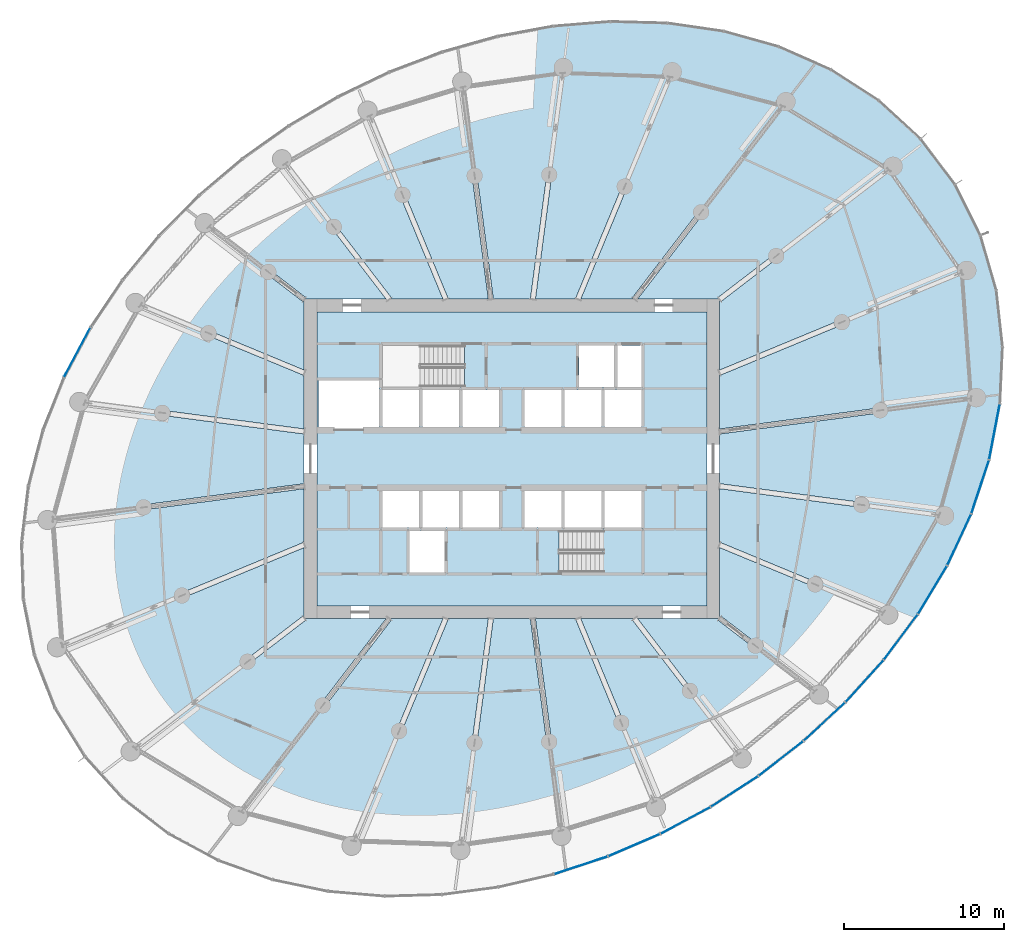
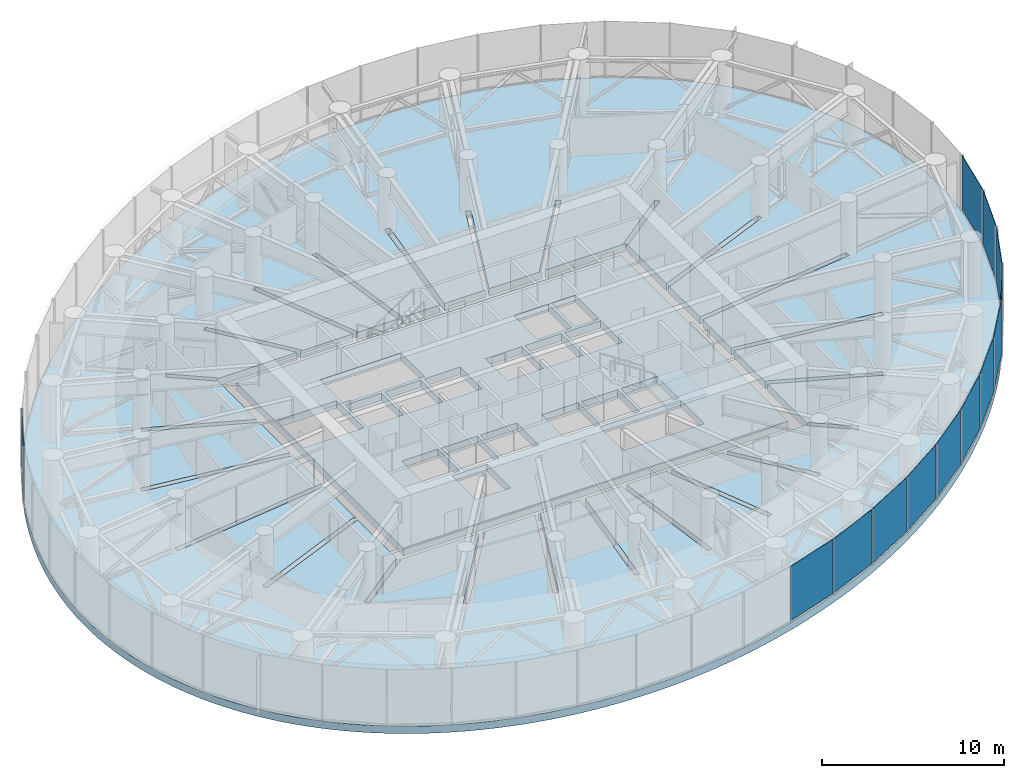
# One storey, part 14 of 33: 13 plates, 3 slabs, 5 elements without a shape of their own.
"""IFC4 building model written with IfcOpenShell, lengths in metres."""

from ifc_helpers import new_model, si_unit, direction, frame, origin, origin_2d, place, context, subcontext, project, spatial, line, indexed_curve, rectangle, outline, extrude, source, transform, mapped, material, layer, layer_set, type_object, element, aggregate, save


model = new_model("IFC4")

# Units and contexts
model_context = context("Model", 3, precision=1e-05, world=origin(), true_north=direction((0.0, 1.0)))
body_context = subcontext(model_context, "Body", "Model", "MODEL_VIEW")
ifc_project = project(units=[si_unit("LENGTHUNIT", "METRE"), si_unit("AREAUNIT", "SQUARE_METRE"), si_unit("VOLUMEUNIT", "CUBIC_METRE"), si_unit("PLANEANGLEUNIT", "RADIAN"), si_unit("MASSUNIT", "GRAM", prefix="KILO")], contexts=[model_context])

# Site, building, storey
site_placement = place(None, origin())
site = spatial("IfcSite", under=ifc_project, at=site_placement, CompositionType="ELEMENT")
building_placement = place(site_placement, origin())
building = spatial("IfcBuilding", under=site, at=building_placement, Name="Spindrift Exchange Tower", CompositionType="ELEMENT")
storey_placement = place(building_placement, frame((0.0, 0.0, 129.0)))
storey = spatial("IfcBuildingStorey", under=building, at=storey_placement, Name="L30", CompositionType="ELEMENT", Elevation=129.0)

# Slabs
ifc_material_1 = material(Name="Concrete 50 MPa", Category="concrete")
ifc_layer_1 = layer(ifc_material_1, 0.5)
ifc_layer_set_1 = layer_set([ifc_layer_1], Name="RC Floor Slab 500 Concrete 50 MPa")
slab_type_1 = type_object("IfcSlabType", Name="RC Floor Slab 500 Concrete 50 MPa", PredefinedType="FLOOR", material=ifc_layer_set_1)
slab_1_placement = place(storey_placement, frame((0.0, 0.0, -0.5)))
element("IfcSlab", 1, at=slab_1_placement, inside=storey, type_object=slab_type_1, Name="Floor slab L30", PredefinedType="FLOOR", context=body_context, shape_type="SweptSolid", body=[
    extrude(outline(indexed_curve([(79.71484375, 65.16064453125), (79.443115234375, 65.5869140625), (79.160400390625, 66.005615234375), (78.86669921875, 66.4169921875), (78.5625, 66.82080078125), (78.247802734375, 67.21630859375), (77.923095703125, 67.603515625), (77.58837890625, 67.982177734375), (77.244140625, 68.352294921875), (76.890380859375, 68.71337890625), (76.52783203125, 69.065185546875), (76.156494140625, 69.408203125), (75.776611328125, 69.741455078125), (75.388671875, 70.0654296875), (74.992919921875, 70.379638671875), (74.589599609375, 70.684326171875), (74.17919921875, 70.979248046875), (73.76171875, 71.26416015625), (73.337646484375, 71.539306640625), (72.907470703125, 71.8046875), (72.47119140625, 72.059814453125), (72.029296875, 72.305419921875), (71.582275390625, 72.540771484375), (71.1298828125, 72.766357421875), (70.6728515625, 72.98193359375), (70.211181640625, 73.187744140625), (69.745361328125, 73.3837890625), (69.275390625, 73.56982421875), (68.8017578125, 73.74658203125), (67.844482421875, 74.07080078125), (66.875, 74.35693359375), (66.386474609375, 74.486083984375), (65.402099609375, 74.716552734375), (64.906982421875, 74.818359375), (63.911865234375, 74.994873046875), (63.412109375, 75.06982421875), (62.408935546875, 75.194091796875), (61.906005859375, 75.243408203125), (60.897705078125, 75.317138671875), (60.392822265625, 75.341552734375), (59.38232421875, 75.366455078125), (58.37158203125, 75.359619140625), (57.866455078125, 75.3447265625), (57.361572265625, 75.322021484375), (56.352783203125, 75.25439453125), (55.849609375, 75.209716796875), (54.8447265625, 75.09814453125), (53.84375, 74.95849609375), (53.3447265625, 74.878173828125), (52.8466796875, 74.791015625), (51.85498046875, 74.596435546875), (51.361083984375, 74.4892578125), (50.377685546875, 74.255126953125), (49.400634765625, 73.995361328125), (48.914794921875, 73.856201171875), (48.430908203125, 73.710693359375), (47.468505859375, 73.401123046875), (46.514404296875, 73.067626953125), (46.040283203125, 72.89208984375), (45.09912109375, 72.523193359375), (44.632080078125, 72.330078125), (44.16748046875, 72.13134765625), (43.245361328125, 71.716796875), (42.788330078125, 71.50146484375), (41.8818359375, 71.0537109375), (40.986572265625, 70.584716796875), (40.102783203125, 70.093994140625), (39.665283203125, 69.841064453125), (38.799560546875, 69.319091796875), (37.946533203125, 68.776611328125), (37.106689453125, 68.214111328125), (36.69189453125, 67.92529296875), (35.872802734375, 67.3330078125), (35.468505859375, 67.029541015625), (34.67138671875, 66.408203125), (33.889404296875, 65.767578125), (33.50439453125, 65.440185546875), (32.74658203125, 64.771240234375), (32.373779296875, 64.429931640625), (32.00537109375, 64.083984375), (31.281494140625, 63.37841796875), (30.575439453125, 62.65478515625), (30.2294921875, 62.286376953125), (29.552001953125, 61.536376953125), (29.220458984375, 61.15478515625), (28.572509765625, 60.37890625), (28.25634765625, 59.984619140625), (27.945556640625, 59.586181640625), (27.340087890625, 58.776611328125), (26.757080078125, 57.95068359375), (26.474609375, 57.53173828125), (25.927001953125, 56.68212890625), (25.662353515625, 56.25146484375), (25.15234375, 55.37890625), (24.906982421875, 54.936767578125), (24.436767578125, 54.0419921875), (24.2119140625, 53.58935546875), (23.78369140625, 52.673828125), (23.580810546875, 52.2109375), (23.197265625, 51.275634765625), (23.01708984375, 50.803466796875), (22.68115234375, 49.85009765625), (22.525634765625, 49.369140625), (22.37841796875, 48.885498046875), (22.1103515625, 47.910888671875), (21.878173828125, 46.92724609375), (21.77587890625, 46.432373046875), (21.60009765625, 45.43701171875), (21.52685546875, 44.936767578125), (21.463623046875, 44.435302734375), (21.410400390625, 43.932861328125), (21.367919921875, 43.42919921875), (21.33544921875, 42.9248046875), (21.31396484375, 42.419921875), (21.30322265625, 41.91455078125), (21.3037109375, 41.4091796875), (21.31494140625, 40.90380859375), (21.337646484375, 40.39892578125), (21.371826171875, 39.89453125), (21.41748046875, 39.391357421875), (21.474853515625, 38.88916015625), (21.5439453125, 38.388427734375), (21.625, 37.889404296875), (21.7177734375, 37.392578125), (21.82275390625, 36.898193359375), (21.939697265625, 36.406494140625), (22.069091796875, 35.91796875), (22.210205078125, 35.4326171875), (22.36376953125, 34.951171875), (22.529296875, 34.4736328125), (22.70703125, 34.00048828125), (22.89697265625, 33.5322265625), (23.098876953125, 33.06884765625), (23.312744140625, 32.61083984375), (23.538330078125, 32.15869140625), (23.77587890625, 31.71240234375), (24.024658203125, 31.272705078125), (24.28515625, 30.83935546875), (24.556884765625, 30.4130859375), (24.839599609375, 29.994384765625), (25.13330078125, 29.5830078125), (25.4375, 29.17919921875), (25.752197265625, 28.78369140625), (26.076904296875, 28.396484375), (26.41162109375, 28.017822265625), (26.755859375, 27.647705078125), (27.109619140625, 27.28662109375), (27.47216796875, 26.934814453125), (27.843505859375, 26.591796875), (28.223388671875, 26.258544921875), (28.611328125, 25.9345703125), (29.007080078125, 25.620361328125), (29.410400390625, 25.315673828125), (29.82080078125, 25.020751953125), (30.23828125, 24.73583984375), (30.662353515625, 24.460693359375), (31.092529296875, 24.1953125), (31.52880859375, 23.940185546875), (31.970703125, 23.694580078125), (32.417724609375, 23.459228515625), (32.8701171875, 23.233642578125), (33.3271484375, 23.01806640625), (33.788818359375, 22.812255859375), (34.254638671875, 22.6162109375), (34.724609375, 22.43017578125), (35.1982421875, 22.25341796875), (36.155517578125, 21.92919921875), (37.125, 21.64306640625), (37.613525390625, 21.513916015625), (38.597900390625, 21.283447265625), (39.093017578125, 21.181640625), (40.088134765625, 21.005126953125), (40.587890625, 20.93017578125), (41.591064453125, 20.805908203125), (42.093994140625, 20.756591796875), (43.102294921875, 20.682861328125), (43.607177734375, 20.658447265625), (44.61767578125, 20.633544921875), (45.62841796875, 20.640380859375), (46.133544921875, 20.6552734375), (46.638427734375, 20.677978515625), (47.647216796875, 20.74560546875), (48.150390625, 20.790283203125), (49.1552734375, 20.90185546875), (50.15625, 21.04150390625), (50.6552734375, 21.121826171875), (51.1533203125, 21.208984375), (52.14501953125, 21.403564453125), (52.638916015625, 21.5107421875), (53.622314453125, 21.744873046875), (54.599365234375, 22.004638671875), (55.085205078125, 22.143798828125), (55.569091796875, 22.289306640625), (56.531494140625, 22.598876953125), (57.485595703125, 22.932373046875), (57.959716796875, 23.10791015625), (58.90087890625, 23.476806640625), (59.367919921875, 23.669921875), (59.83251953125, 23.86865234375), (60.754638671875, 24.283203125), (61.211669921875, 24.49853515625), (62.1181640625, 24.9462890625), (63.013427734375, 25.415283203125), (63.897216796875, 25.906005859375), (64.334716796875, 26.158935546875), (65.200439453125, 26.680908203125), (66.053466796875, 27.223388671875), (66.893310546875, 27.785888671875), (67.30810546875, 28.07470703125), (68.127197265625, 28.6669921875), (68.531494140625, 28.970458984375), (69.32861328125, 29.591796875), (70.110595703125, 30.232421875), (70.49560546875, 30.559814453125), (71.25341796875, 31.228759765625), (71.626220703125, 31.570068359375), (71.99462890625, 31.916015625), (72.718505859375, 32.62158203125), (73.424560546875, 33.34521484375), (73.7705078125, 33.713623046875), (74.447998046875, 34.463623046875), (74.779541015625, 34.84521484375), (75.427490234375, 35.62109375), (75.74365234375, 36.015380859375), (76.054443359375, 36.413818359375), (76.659912109375, 37.223388671875), (77.242919921875, 38.04931640625), (77.525390625, 38.46826171875), (78.072998046875, 39.31787109375), (78.337646484375, 39.74853515625), (78.84765625, 40.62109375), (79.093017578125, 41.063232421875), (79.563232421875, 41.9580078125), (79.7880859375, 42.41064453125), (80.21630859375, 43.326171875), (80.419189453125, 43.7890625), (80.802734375, 44.724365234375), (80.98291015625, 45.196533203125), (81.31884765625, 46.14990234375), (81.474365234375, 46.630859375), (81.62158203125, 47.114501953125), (81.8896484375, 48.089111328125), (82.121826171875, 49.07275390625), (82.22412109375, 49.567626953125), (82.39990234375, 50.56298828125), (82.47314453125, 51.063232421875), (82.536376953125, 51.564697265625), (82.589599609375, 52.067138671875), (82.632080078125, 52.57080078125), (82.66455078125, 53.0751953125), (82.68603515625, 53.580078125), (82.69677734375, 54.08544921875), (82.6962890625, 54.5908203125), (82.68505859375, 55.09619140625), (82.662353515625, 55.60107421875), (82.628173828125, 56.10546875), (82.58251953125, 56.608642578125), (82.525146484375, 57.11083984375), (82.4560546875, 57.611572265625), (82.375, 58.110595703125), (82.2822265625, 58.607421875), (82.17724609375, 59.101806640625), (82.060302734375, 59.593505859375), (81.930908203125, 60.08203125), (81.789794921875, 60.5673828125), (81.63623046875, 61.048828125), (81.470703125, 61.5263671875), (81.29296875, 61.99951171875), (81.10302734375, 62.4677734375), (80.901123046875, 62.93115234375), (80.687255859375, 63.38916015625), (80.461669921875, 63.84130859375), (80.22412109375, 64.28759765625), (79.975341796875, 64.727294921875)], segments=[line(1, 2, 3, 4, 5, 6, 7, 8, 9, 10, 11, 12, 13, 14, 15, 16, 17, 18, 19, 20, 21, 22, 23, 24, 25, 26, 27, 28, 29, 30, 31, 32, 33, 34, 35, 36, 37, 38, 39, 40, 41, 42, 43, 44, 45, 46, 47, 48, 49, 50, 51, 52, 53, 54, 55, 56, 57, 58, 59, 60, 61, 62, 63, 64, 65, 66, 67, 68, 69, 70, 71, 72, 73, 74, 75, 76, 77, 78, 79, 80, 81, 82, 83, 84, 85, 86, 87, 88, 89, 90, 91, 92, 93, 94, 95, 96, 97, 98, 99, 100, 101, 102, 103, 104, 105, 106, 107, 108, 109, 110, 111, 112, 113, 114, 115, 116, 117, 118, 119, 120, 121, 122, 123, 124, 125, 126, 127, 128, 129, 130, 131, 132, 133, 134, 135, 136, 137, 138, 139, 140, 141, 142, 143, 144, 145, 146, 147, 148, 149, 150, 151, 152, 153, 154, 155, 156, 157, 158, 159, 160, 161, 162, 163, 164, 165, 166, 167, 168, 169, 170, 171, 172, 173, 174, 175, 176, 177, 178, 179, 180, 181, 182, 183, 184, 185, 186, 187, 188, 189, 190, 191, 192, 193, 194, 195, 196, 197, 198, 199, 200, 201, 202, 203, 204, 205, 206, 207, 208, 209, 210, 211, 212, 213, 214, 215, 216, 217, 218, 219, 220, 221, 222, 223, 224, 225, 226, 227, 228, 229, 230, 231, 232, 233, 234, 235, 236, 237, 238, 239, 240, 241, 242, 243, 244, 245, 246, 247, 248, 249, 250, 251, 252, 253, 254, 255, 256, 257, 258, 259, 260, 261, 262, 263, 264, 265, 266, 267, 268, 269, 270, 271, 272, 273, 274, 1)], self_intersect=False), holes=[indexed_curve([(73.88330078125, 45.27490234375), (73.843017578125, 44.968505859375), (65.0, 46.1328125), (65.0, 42.66748046875), (65.04052734375, 42.765625), (71.031494140625, 40.2841796875), (70.913330078125, 39.99853515625), (65.0, 42.447998046875), (65.0, 38.0576171875), (65.078125, 38.159423828125), (67.326416015625, 36.434326171875), (67.13818359375, 36.189208984375), (64.89013671875, 37.914306640625), (64.955810546875, 38.0), (59.867919921875, 38.0), (63.25634765625, 33.584228515625), (63.01123046875, 33.39599609375), (59.53857421875, 37.921875), (59.640380859375, 38.0), (56.309326171875, 38.0), (58.984619140625, 31.54150390625), (58.698974609375, 31.42333984375), (55.99169921875, 37.95947265625), (56.08984375, 38.0), (53.472412109375, 38.0), (54.48388671875, 30.31689453125), (54.177490234375, 30.276611328125), (53.16064453125, 37.999755859375), (53.163330078125, 38.0), (50.836669921875, 38.0), (50.83935546875, 37.999755859375), (49.814208984375, 30.21240234375), (49.5078125, 30.2529296875), (50.527587890625, 38.0), (47.91015625, 38.0), (48.00830078125, 37.95947265625), (45.088134765625, 30.90966796875), (44.802734375, 31.02783203125), (47.690673828125, 38.0), (44.359619140625, 38.0), (44.46142578125, 37.921875), (40.28759765625, 32.482177734375), (40.042236328125, 32.67041015625), (44.132080078125, 38.0), (39.044189453125, 38.0), (39.10986328125, 37.914306640625), (35.559326171875, 35.189697265625), (35.37109375, 35.43505859375), (38.921875, 38.159423828125), (39.0, 38.0576171875), (39.0, 42.447998046875), (31.419921875, 39.30810546875), (31.301513671875, 39.59375), (38.95947265625, 42.765625), (39.0, 42.66748046875), (39.0, 46.1328125), (28.986328125, 44.814453125), (28.94580078125, 45.12060546875), (38.999755859375, 46.4443359375), (39.0, 46.441650390625), (39.0, 49.558349609375), (38.999755859375, 49.5556640625), (30.11669921875, 50.72509765625), (30.156982421875, 51.031494140625), (39.0, 49.8671875), (39.0, 53.33251953125), (38.95947265625, 53.234375), (32.968505859375, 55.7158203125), (33.086669921875, 56.00146484375), (39.0, 53.552001953125), (39.0, 57.9423828125), (38.921875, 57.840576171875), (36.673583984375, 59.565673828125), (36.86181640625, 59.810791015625), (39.10986328125, 58.085693359375), (39.044189453125, 58.0), (44.132080078125, 58.0), (40.74365234375, 62.415771484375), (40.98876953125, 62.60400390625), (44.46142578125, 58.078125), (44.359619140625, 58.0), (47.690673828125, 58.0), (45.015380859375, 64.45849609375), (45.301025390625, 64.57666015625), (48.00830078125, 58.04052734375), (47.91015625, 58.0), (50.527587890625, 58.0), (49.51611328125, 65.68310546875), (49.822509765625, 65.723388671875), (50.83935546875, 58.000244140625), (50.836669921875, 58.0), (53.163330078125, 58.0), (53.16064453125, 58.000244140625), (54.185791015625, 65.78759765625), (54.4921875, 65.7470703125), (53.472412109375, 58.0), (56.08984375, 58.0), (55.99169921875, 58.04052734375), (58.911865234375, 65.09033203125), (59.197265625, 64.97216796875), (56.309326171875, 58.0), (59.640380859375, 58.0), (59.53857421875, 58.078125), (63.71240234375, 63.517822265625), (63.957763671875, 63.32958984375), (59.867919921875, 58.0), (64.955810546875, 58.0), (64.89013671875, 58.085693359375), (68.440673828125, 60.810302734375), (68.62890625, 60.56494140625), (65.078125, 57.840576171875), (65.0, 57.9423828125), (65.0, 53.552001953125), (72.580078125, 56.69189453125), (72.698486328125, 56.40625), (65.04052734375, 53.234375), (65.0, 53.33251953125), (65.0, 49.8671875), (75.013671875, 51.185546875), (75.05419921875, 50.87939453125), (65.000244140625, 49.5556640625), (65.0, 49.558349609375), (65.0, 46.441650390625), (65.000244140625, 46.4443359375)], segments=[line(1, 2, 3, 4, 5, 6, 7, 8, 9, 10, 11, 12, 13, 14, 15, 16, 17, 18, 19, 20, 21, 22, 23, 24, 25, 26, 27, 28, 29, 30, 31, 32, 33, 34, 35, 36, 37, 38, 39, 40, 41, 42, 43, 44, 45, 46, 47, 48, 49, 50, 51, 52, 53, 54, 55, 56, 57, 58, 59, 60, 61, 62, 63, 64, 65, 66, 67, 68, 69, 70, 71, 72, 73, 74, 75, 76, 77, 78, 79, 80, 81, 82, 83, 84, 85, 86, 87, 88, 89, 90, 91, 92, 93, 94, 95, 96, 97, 98, 99, 100, 101, 102, 103, 104, 105, 106, 107, 108, 109, 110, 111, 112, 113, 114, 115, 116, 117, 118, 119, 120, 121, 122, 123, 124, 1)], self_intersect=False)]), origin(), (0.0, 0.0, 1.0), 0.5),
])
ifc_layer_2 = layer(ifc_material_1, 0.5)
ifc_layer_set_2 = layer_set([ifc_layer_2], Name="SL-CORE-FLOOR-500")
slab_type_2 = type_object("IfcSlabType", Name="SL-CORE-FLOOR-500", PredefinedType="FLOOR", material=ifc_layer_set_2)
slab_2_placement = place(storey_placement, frame((0.0, 0.0, -0.5)))
element("IfcSlab", 2, at=slab_2_placement, inside=storey, type_object=slab_type_2, Name="L30 Core floor slab", PredefinedType="FLOOR", context=body_context, shape_type="SweptSolid", body=[
    extrude(outline(indexed_curve([(39.800048828125, 38.800048828125), (39.800048828125, 57.199951171875), (64.199951171875, 57.199951171875), (64.199951171875, 38.800048828125)], segments=[line(1, 2, 3, 4, 1)], self_intersect=False), holes=[indexed_curve([(47.800048828125, 43.5), (45.60009765625, 43.5), (45.60009765625, 40.89990234375), (47.800048828125, 40.89990234375)], segments=[line(1, 2, 3, 4, 1)], self_intersect=False), indexed_curve([(46.199951171875, 46.10009765625), (43.89990234375, 46.10009765625), (43.89990234375, 43.699951171875), (46.199951171875, 43.699951171875)], segments=[line(1, 2, 3, 4, 1)], self_intersect=False), indexed_curve([(48.699951171875, 46.10009765625), (46.39990234375, 46.10009765625), (46.39990234375, 43.699951171875), (48.699951171875, 43.699951171875)], segments=[line(1, 2, 3, 4, 1)], self_intersect=False), indexed_curve([(51.199951171875, 46.10009765625), (48.89990234375, 46.10009765625), (48.89990234375, 43.699951171875), (51.199951171875, 43.699951171875)], segments=[line(1, 2, 3, 4, 1)], self_intersect=False), indexed_curve([(46.199951171875, 52.300048828125), (43.89990234375, 52.300048828125), (43.89990234375, 49.89990234375), (46.199951171875, 49.89990234375)], segments=[line(1, 2, 3, 4, 1)], self_intersect=False), indexed_curve([(48.699951171875, 52.300048828125), (46.39990234375, 52.300048828125), (46.39990234375, 49.89990234375), (48.699951171875, 49.89990234375)], segments=[line(1, 2, 3, 4, 1)], self_intersect=False), indexed_curve([(51.199951171875, 52.300048828125), (48.89990234375, 52.300048828125), (48.89990234375, 49.89990234375), (51.199951171875, 49.89990234375)], segments=[line(1, 2, 3, 4, 1)], self_intersect=False), indexed_curve([(43.699951171875, 49.89990234375), (43.699951171875, 52.89990234375), (39.89990234375, 52.89990234375), (39.89990234375, 49.89990234375)], segments=[line(1, 2, 3, 4, 1)], self_intersect=False), indexed_curve([(49.0439453125, 55.093994140625), (43.906005859375, 55.093994140625), (43.906005859375, 52.506103515625), (49.0439453125, 52.506103515625)], segments=[line(1, 2, 3, 4, 1)], self_intersect=False), indexed_curve([(60.093994140625, 40.906005859375), (60.093994140625, 43.493896484375), (54.9560546875, 43.493896484375), (54.9560546875, 40.906005859375)], segments=[line(1, 2, 3, 4, 1)], self_intersect=False), indexed_curve([(55.10009765625, 46.10009765625), (52.800048828125, 46.10009765625), (52.800048828125, 43.699951171875), (55.10009765625, 43.699951171875)], segments=[line(1, 2, 3, 4, 1)], self_intersect=False), indexed_curve([(57.60009765625, 46.10009765625), (55.300048828125, 46.10009765625), (55.300048828125, 43.699951171875), (57.60009765625, 43.699951171875)], segments=[line(1, 2, 3, 4, 1)], self_intersect=False), indexed_curve([(60.10009765625, 46.10009765625), (57.800048828125, 46.10009765625), (57.800048828125, 43.699951171875), (60.10009765625, 43.699951171875)], segments=[line(1, 2, 3, 4, 1)], self_intersect=False), indexed_curve([(55.10009765625, 52.300048828125), (52.800048828125, 52.300048828125), (52.800048828125, 49.89990234375), (55.10009765625, 49.89990234375)], segments=[line(1, 2, 3, 4, 1)], self_intersect=False), indexed_curve([(57.60009765625, 52.300048828125), (55.300048828125, 52.300048828125), (55.300048828125, 49.89990234375), (57.60009765625, 49.89990234375)], segments=[line(1, 2, 3, 4, 1)], self_intersect=False), indexed_curve([(60.10009765625, 52.300048828125), (57.800048828125, 52.300048828125), (57.800048828125, 49.89990234375), (60.10009765625, 49.89990234375)], segments=[line(1, 2, 3, 4, 1)], self_intersect=False), indexed_curve([(58.39990234375, 52.5), (58.39990234375, 55.10009765625), (56.199951171875, 55.10009765625), (56.199951171875, 52.5)], segments=[line(1, 2, 3, 4, 1)], self_intersect=False), indexed_curve([(60.10009765625, 52.5), (60.10009765625, 55.10009765625), (58.60009765625, 55.10009765625), (58.60009765625, 52.5)], segments=[line(1, 2, 3, 4, 1)], self_intersect=False)]), origin(), (0.0, 0.0, 1.0), 0.5),
])

# Stair, slab
stair_type = type_object("IfcStairType", Name="ST-1250-R186", PredefinedType="HALF_TURN_STAIR", material=ifc_material_1)
stair_placement = place(storey_placement, origin())
stair = element("IfcStair", 3, at=stair_placement, inside=storey, type_object=stair_type, Name="L30 Exit stair ST2", PredefinedType="HALF_TURN_STAIR")
ifc_layer_3 = layer(ifc_material_1, 0.199951171875)
ifc_layer_set_3 = layer_set([ifc_layer_3], Name="SL-LANDING")
slab_type_3 = type_object("IfcSlabType", Name="SL-LANDING", PredefinedType="LANDING", material=ifc_layer_set_3)
slab_3_placement = place(storey_placement, frame((0.0, 0.0, 1.85009765625)))
slab_3 = element("IfcSlab", 4, at=slab_3_placement, type_object=slab_type_3, Name="ST2 landing 1", PredefinedType="LANDING", context=body_context, shape_type="SweptSolid", body=[
    extrude(outline(indexed_curve([(57.669921875, 43.60009765625), (60.199951171875, 43.60009765625), (60.199951171875, 40.800048828125), (57.669921875, 40.800048828125)], segments=[line(1, 2, 3, 4, 1)], self_intersect=False)), origin(), (0.0, 0.0, 1.0), 0.199951171875),
])
aggregate(stair, [slab_3])

# Curtain wall, plate
ifc_material_2 = material(Name="Fritted laminated glass with bronze frame", Category="glass")
ifc_layer_4 = layer(ifc_material_2, 0.18994140625)
ifc_layer_set_4 = layer_set([ifc_layer_4], Name="ZONE 2 BRONZE FRITTED WALL")
curtain_wall_type = type_object("IfcCurtainWallType", Name="ZONE 2 BRONZE FRITTED WALL", PredefinedType="NOTDEFINED", material=ifc_layer_set_4)
curtain_wall_1_placement = place(storey_placement, origin())
curtain_wall_1 = element("IfcCurtainWall", 5, at=curtain_wall_1_placement, inside=storey, type_object=curtain_wall_type, Name="L30 Zone 2 Bronze Fritted Wall run 4", PredefinedType="NOTDEFINED")
ifc_material_3 = material(Name="Bronze fritted laminated glass, dense frit", Category="glass")
ifc_layer_5 = layer(ifc_material_3, 0.033935546875)
ifc_layer_set_5 = layer_set([ifc_layer_5], Name="ZONE 2 BRONZE FRITTED WALL PANEL DENSE FRIT 300")
plate_type_1 = type_object("IfcPlateType", Name="ZONE 2 BRONZE FRITTED WALL PANEL DENSE FRIT 300", PredefinedType="CURTAIN_PANEL", material=ifc_layer_set_5)
shared_shape_1 = source(origin(), body_context, "Body", "SweptSolid", [
    extrude(rectangle(XDim=3.490966796875, YDim=0.033935546875, at=origin_2d()), origin(), (0.0, 0.0, 1.0), 3.639892578125),
])
plate_1_placement = place(storey_placement, frame((24.80810546875, 54.652587890625, 0.14013671875), z_axis=(0.0, 0.0, 1.0), x_axis=(-0.470525295432, -0.88238650622, 0.0)))
plate_1 = element("IfcPlate", 6, at=plate_1_placement, type_object=plate_type_1, Name="L30 panel CW-2.19", PredefinedType="CURTAIN_PANEL", context=body_context, shape_type="MappedRepresentation", body=[
    mapped(shared_shape_1, transform((0.0, 0.0, 0.0), scale=1.0)),
])
aggregate(curtain_wall_1, [plate_1])

# Curtain wall, plates
curtain_wall_2_placement = place(storey_placement, origin())
curtain_wall_2 = element("IfcCurtainWall", 7, at=curtain_wall_2_placement, inside=storey, type_object=curtain_wall_type, Name="L30 Zone 2 Bronze Fritted Wall run 7", PredefinedType="NOTDEFINED")
ifc_layer_6 = layer(ifc_material_3, 0.033935546875)
ifc_layer_set_6 = layer_set([ifc_layer_6], Name="ZONE 2 BRONZE FRITTED WALL PANEL DENSE FRIT 420")
plate_type_2 = type_object("IfcPlateType", Name="ZONE 2 BRONZE FRITTED WALL PANEL DENSE FRIT 420", PredefinedType="CURTAIN_PANEL", material=ifc_layer_set_6)
shared_shape_2 = source(origin(), body_context, "Body", "SweptSolid", [
    extrude(rectangle(XDim=3.49169921875, YDim=0.033935546875, at=origin_2d()), origin(), (0.0, 0.0, 1.0), 3.639892578125),
])
plate_2_placement = place(storey_placement, frame((68.838134765625, 29.25390625, 0.14013671875), z_axis=(0.0, 0.0, 1.0), x_axis=(0.789923895716, 0.613204891514, 0.0)))
plate_2 = element("IfcPlate", 8, at=plate_2_placement, type_object=plate_type_2, Name="L30 panel CW-2.40", PredefinedType="CURTAIN_PANEL", context=body_context, shape_type="MappedRepresentation", body=[
    mapped(shared_shape_2, transform((0.0, 0.0, 0.0), scale=1.0)),
])
ifc_layer_7 = layer(ifc_material_3, 0.033935546875)
ifc_layer_set_7 = layer_set([ifc_layer_7], Name="ZONE 2 BRONZE FRITTED WALL PANEL DENSE FRIT 180")
plate_type_3 = type_object("IfcPlateType", Name="ZONE 2 BRONZE FRITTED WALL PANEL DENSE FRIT 180", PredefinedType="CURTAIN_PANEL", material=ifc_layer_set_7)
shared_shape_3 = source(origin(), body_context, "Body", "SweptSolid", [
    extrude(rectangle(XDim=3.49169921875, YDim=0.033935546875, at=origin_2d()), origin(), (0.0, 0.0, 1.0), 3.639892578125),
])
plate_3_placement = place(storey_placement, frame((62.864501953125, 25.37841796875, 0.14013671875), z_axis=(0.0, 0.0, 1.0), x_axis=(0.881792060666, 0.471638380273, 0.0)))
plate_3 = element("IfcPlate", 9, at=plate_3_placement, type_object=plate_type_3, Name="L30 panel CW-2.38", PredefinedType="CURTAIN_PANEL", context=body_context, shape_type="MappedRepresentation", body=[
    mapped(shared_shape_3, transform((0.0, 0.0, 0.0), scale=1.0)),
])
plate_4_placement = place(storey_placement, frame((65.933349609375, 27.18994140625, 0.14013671875), z_axis=(0.0, 0.0, 1.0), x_axis=(0.838933779044, 0.544233510893, 0.0)))
plate_4 = element("IfcPlate", 10, at=plate_4_placement, type_object=plate_type_3, Name="L30 panel CW-2.39", PredefinedType="CURTAIN_PANEL", context=body_context, shape_type="MappedRepresentation", body=[
    mapped(shared_shape_3, transform((0.0, 0.0, 0.0), scale=1.0)),
])

# Curtain wall, plate
curtain_wall_3_placement = place(storey_placement, origin())
curtain_wall_3 = element("IfcCurtainWall", 11, at=curtain_wall_3_placement, inside=storey, type_object=curtain_wall_type, Name="L30 Zone 2 Bronze Fritted Wall run 8", PredefinedType="NOTDEFINED")
shared_shape_4 = source(origin(), body_context, "Body", "SweptSolid", [
    extrude(rectangle(XDim=3.4912109375, YDim=0.033935546875, at=origin_2d()), origin(), (0.0, 0.0, 1.0), 3.639892578125),
])
plate_5_placement = place(storey_placement, frame((78.313720703125, 39.797607421875, 0.14013671875), z_axis=(0.0, 0.0, 1.0), x_axis=(0.516222445495, 0.856454544484, 0.0)))
plate_5 = element("IfcPlate", 12, at=plate_5_placement, type_object=plate_type_2, Name="L30 panel CW-2.44", PredefinedType="CURTAIN_PANEL", context=body_context, shape_type="MappedRepresentation", body=[
    mapped(shared_shape_4, transform((0.0, 0.0, 0.0), scale=1.0)),
])

curtain_wall_4_placement = place(storey_placement, origin())
curtain_wall_4 = element("IfcCurtainWall", 13, at=curtain_wall_4_placement, inside=storey, type_object=curtain_wall_type, Name="L30 Zone 2 Bronze Fritted Wall run 6", PredefinedType="NOTDEFINED")
shared_shape_5 = source(origin(), body_context, "Body", "SweptSolid", [
    extrude(rectangle(XDim=3.491455078125, YDim=0.033935546875, at=origin_2d()), origin(), (0.0, 0.0, 1.0), 3.639892578125),
])
plate_6_placement = place(storey_placement, frame((56.321533203125, 22.57080078125, 0.14013671875), z_axis=(0.0, 0.0, 1.0), x_axis=(0.949746120863, 0.313021254717, 0.0)))
plate_6 = element("IfcPlate", 14, at=plate_6_placement, type_object=plate_type_3, Name="L30 panel CW-2.36", PredefinedType="CURTAIN_PANEL", context=body_context, shape_type="MappedRepresentation", body=[
    mapped(shared_shape_5, transform((0.0, 0.0, 0.0), scale=1.0)),
])
aggregate(curtain_wall_4, [plate_6])

# Plate
plate_7_placement = place(storey_placement, frame((74.061767578125, 34.091552734375, 0.14013671875), z_axis=(0.0, 0.0, 1.0), x_axis=(0.670851266501, 0.741591921634, 0.0)))
plate_7 = element("IfcPlate", 15, at=plate_7_placement, type_object=plate_type_3, Name="L30 panel CW-2.42", PredefinedType="CURTAIN_PANEL", context=body_context, shape_type="MappedRepresentation", body=[
    mapped(shared_shape_5, transform((0.0, 0.0, 0.0), scale=1.0)),
])

plate_8_placement = place(storey_placement, frame((76.32568359375, 36.84228515625, 0.14013671875), z_axis=(0.0, 0.0, 1.0), x_axis=(0.5986979222, 0.800974904696, 0.0)))
plate_8 = element("IfcPlate", 16, at=plate_8_placement, type_object=plate_type_3, Name="L30 panel CW-2.43", PredefinedType="CURTAIN_PANEL", context=body_context, shape_type="MappedRepresentation", body=[
    mapped(shared_shape_5, transform((0.0, 0.0, 0.0), scale=1.0)),
])

shared_shape_6 = source(origin(), body_context, "Body", "SweptSolid", [
    extrude(rectangle(XDim=3.49169921875, YDim=0.033935546875, at=origin_2d()), origin(), (0.0, 0.0, 1.0), 3.639892578125),
])
plate_9_placement = place(storey_placement, frame((59.653564453125, 23.8330078125, 0.14013671875), z_axis=(0.0, 0.0, 1.0), x_axis=(0.918757447847, 0.394822431006, 0.0)))
plate_9 = element("IfcPlate", 17, at=plate_9_placement, type_object=plate_type_1, Name="L30 panel CW-2.37", PredefinedType="CURTAIN_PANEL", context=body_context, shape_type="MappedRepresentation", body=[
    mapped(shared_shape_6, transform((0.0, 0.0, 0.0), scale=1.0)),
])

plate_10_placement = place(storey_placement, frame((71.55615234375, 31.558349609375, 0.14013671875), z_axis=(0.0, 0.0, 1.0), x_axis=(0.734198100372, 0.678935305762, 0.0)))
plate_10 = element("IfcPlate", 18, at=plate_10_placement, type_object=plate_type_1, Name="L30 panel CW-2.41", PredefinedType="CURTAIN_PANEL", context=body_context, shape_type="MappedRepresentation", body=[
    mapped(shared_shape_6, transform((0.0, 0.0, 0.0), scale=1.0)),
])

aggregate(curtain_wall_2, [plate_9, plate_3, plate_4, plate_2, plate_10, plate_7])

shared_shape_7 = source(origin(), body_context, "Body", "SweptSolid", [
    extrude(rectangle(XDim=3.490966796875, YDim=0.033935546875, at=origin_2d()), origin(), (0.0, 0.0, 1.0), 3.639892578125),
])
plate_11_placement = place(storey_placement, frame((79.985595703125, 42.941650390625, 0.14013671875), z_axis=(0.0, 0.0, 1.0), x_axis=(0.421547084653, 0.906806514876, 0.0)))
plate_11 = element("IfcPlate", 19, at=plate_11_placement, type_object=plate_type_2, Name="L30 panel CW-2.45", PredefinedType="CURTAIN_PANEL", context=body_context, shape_type="MappedRepresentation", body=[
    mapped(shared_shape_7, transform((0.0, 0.0, 0.0), scale=1.0)),
])

shared_shape_8 = source(origin(), body_context, "Body", "SweptSolid", [
    extrude(rectangle(XDim=3.490478515625, YDim=0.033935546875, at=origin_2d()), origin(), (0.0, 0.0, 1.0), 3.639892578125),
])
plate_12_placement = place(storey_placement, frame((81.294921875, 46.251708984375, 0.14013671875), z_axis=(0.0, 0.0, 1.0), x_axis=(0.312751050045, 0.949835133429, 0.0)))
plate_12 = element("IfcPlate", 20, at=plate_12_placement, type_object=plate_type_1, Name="L30 panel CW-2.46", PredefinedType="CURTAIN_PANEL", context=body_context, shape_type="MappedRepresentation", body=[
    mapped(shared_shape_8, transform((0.0, 0.0, 0.0), scale=1.0)),
])

shared_shape_9 = source(origin(), body_context, "Body", "SweptSolid", [
    extrude(rectangle(XDim=3.489990234375, YDim=0.033935546875, at=origin_2d()), origin(), (0.0, 0.0, 1.0), 3.639892578125),
])
plate_13_placement = place(storey_placement, frame((82.1875, 49.69580078125, 0.14013671875), z_axis=(0.0, 0.0, 1.0), x_axis=(0.187964182548, 0.982175883475, 0.0)))
plate_13 = element("IfcPlate", 21, at=plate_13_placement, type_object=plate_type_2, Name="L30 panel CW-2.47", PredefinedType="CURTAIN_PANEL", context=body_context, shape_type="MappedRepresentation", body=[
    mapped(shared_shape_9, transform((0.0, 0.0, 0.0), scale=1.0)),
])

aggregate(curtain_wall_3, [plate_8, plate_5, plate_11, plate_12, plate_13])

save(model, "model.ifc")
